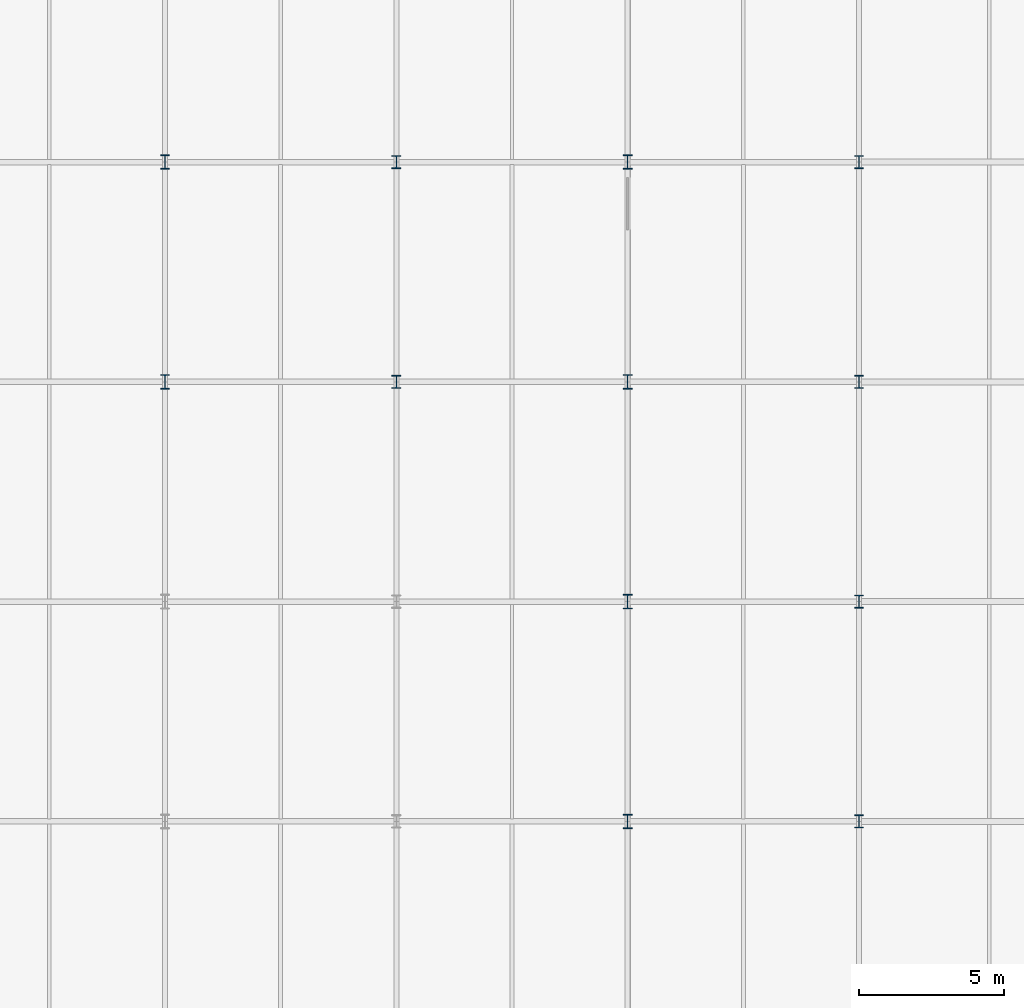
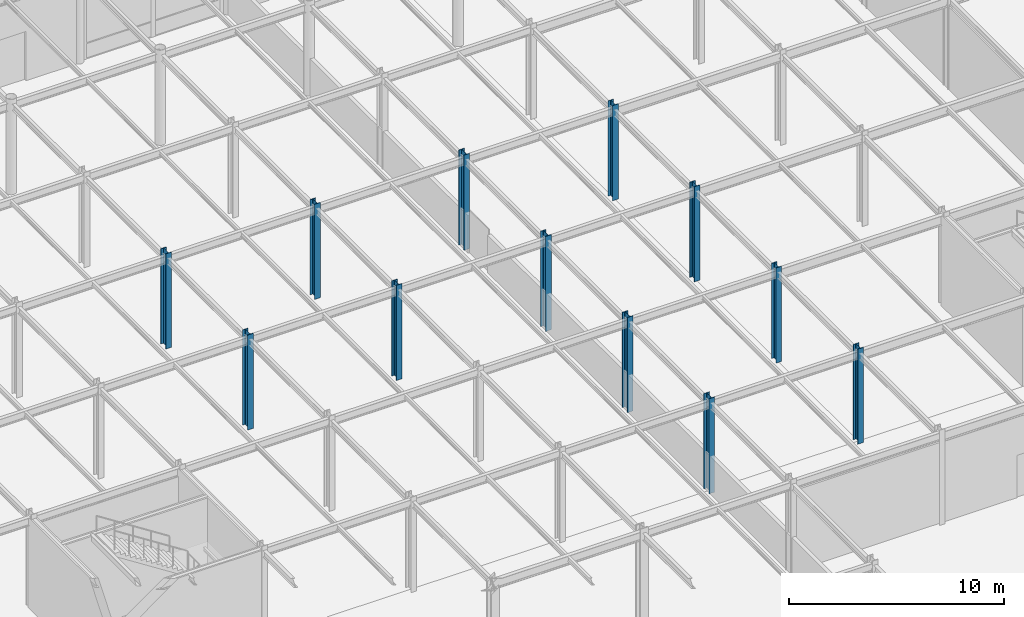
# One storey, part 14 of 89: 12 columns.
"""IFC4 building model written with IfcOpenShell, lengths in metres."""

import ifcopenshell
import ifcopenshell.guid

model = None  # the IFC model being written
_history = None  # IfcOwnerHistory: only IFC2X3 demands one
_inside = {}  # id of a spatial element -> (the spatial element, [elements in it])
_under = {}  # id of a project, library or spatial element -> (it, [spatial elements below it])
_declared = {}  # id of a project -> (the project, [libraries it declares])
_typed = {}  # id of a type object -> (the type object, [elements of that type])
_made_of = {}  # id of a material, layer set ... -> (it, [elements and type objects made of it])


def new_model(schema):
    """Start an empty IFC model of exactly this schema.

    Asked for "IFC4X3", IfcOpenShell would pick the latest addendum, in which some entities
    have other attributes; the version numbers below select the first issue.
    IFC2X3 requires an IfcOwnerHistory on every rooted entity: one is made here for all.
    """
    global model, _history
    if schema == "IFC4X3":
        model = ifcopenshell.file(schema_version=(4, 3, 0, 0))
    else:
        model = ifcopenshell.file(schema=schema)
    _inside.clear()
    _under.clear()
    _declared.clear()
    _typed.clear()
    _made_of.clear()
    _history = None
    if model.schema == "IFC2X3":
        org = make("IfcOrganization", Name="unknown")
        user = make(
            "IfcPersonAndOrganization",
            ThePerson=make("IfcPerson", FamilyName="unknown"),
            TheOrganization=org,
        )
        app = make(
            "IfcApplication",
            ApplicationDeveloper=org,
            Version="unknown",
            ApplicationFullName="unknown",
            ApplicationIdentifier="unknown",
        )
        _history = make(
            "IfcOwnerHistory",
            OwningUser=user,
            OwningApplication=app,
            ChangeAction="ADDED",
            CreationDate=0,
        )
    return model


def make(cls, **values):
    """One entity of the class cls with the attributes given. An attribute that is None is left unset."""
    return model.create_entity(
        cls, **{name: value for name, value in values.items() if value is not None}
    )


def rooted(cls, **values):
    """An entity with a GlobalId (a new one), such as an element, a storey or a relation."""
    return make(cls, GlobalId=ifcopenshell.guid.new(), OwnerHistory=_history, **values)


def si_unit(unit_type, name, prefix=None):
    """IfcSIUnit, for example si_unit("LENGTHUNIT", "METRE", prefix="MILLI")."""
    return make("IfcSIUnit", UnitType=unit_type, Prefix=prefix, Name=name)


def assignment(units):
    """IfcUnitAssignment: the units of a project."""
    return None if units is None else make("IfcUnitAssignment", Units=units)


def point(xyz):
    """IfcCartesianPoint."""
    return None if xyz is None else make("IfcCartesianPoint", Coordinates=xyz)


def direction(xyz):
    """IfcDirection."""
    return None if xyz is None else make("IfcDirection", DirectionRatios=xyz)


def frame(location, z_axis=None, x_axis=None):
    """IfcAxis2Placement3D, a coordinate frame: its origin and axes. An axis left out is left unset."""
    return make(
        "IfcAxis2Placement3D",
        Location=point(location),
        Axis=direction(z_axis),
        RefDirection=direction(x_axis),
    )


def frame_2d(location, x_axis=None):
    """IfcAxis2Placement2D, a coordinate frame in the plane: its origin and x axis."""
    return make(
        "IfcAxis2Placement2D", Location=point(location), RefDirection=direction(x_axis)
    )


def origin():
    """The frame at (0, 0, 0) with its axes left unset."""
    return frame((0.0, 0.0, 0.0))


def origin_2d():
    """The frame at (0, 0) in the plane with its x axis left unset."""
    return frame_2d((0.0, 0.0))


def place(relative_to, where):
    """IfcLocalPlacement: puts the frame where relative to a parent placement (None: the world)."""
    return make(
        "IfcLocalPlacement", PlacementRelTo=relative_to, RelativePlacement=where
    )


def context(
    kind, dimensions, precision=None, world=None, true_north=None, identifier=None
):
    """IfcGeometricRepresentationContext, for example the 3D "Model" context."""
    return make(
        "IfcGeometricRepresentationContext",
        ContextIdentifier=identifier,
        ContextType=kind,
        CoordinateSpaceDimension=dimensions,
        Precision=precision,
        WorldCoordinateSystem=world,
        TrueNorth=true_north,
    )


def subcontext(parent, identifier, kind, view, scale=None):
    """IfcGeometricRepresentationSubContext, for example "Body" below "Model"."""
    return make(
        "IfcGeometricRepresentationSubContext",
        ContextIdentifier=identifier,
        ContextType=kind,
        ParentContext=parent,
        TargetScale=scale,
        TargetView=view,
    )


def project(units=None, contexts=None):
    """IfcProject with its units and contexts."""
    return rooted(
        "IfcProject",
        Name="project",
        RepresentationContexts=contexts,
        UnitsInContext=assignment(units),
    )


def spatial(cls, under=None, at=None, **own):
    """A site, building, storey or space (cls), placed at a placement, below another one or the project."""
    s = rooted(cls, ObjectPlacement=at, **own)
    if under is not None:
        _under.setdefault(under.id(), (under, []))[1].append(s)
    return s


def profile(cls, at=None, kind="AREA", **sizes):
    """A parametric profile (cls). Its sizes go by their IFC names, for example OverallWidth=200.0."""
    return make(cls, ProfileType=kind, Position=at, **sizes)


def i_section(**sizes):
    """IfcIShapeProfileDef."""
    return profile("IfcIShapeProfileDef", **sizes)


def extrude(swept, where, along, depth):
    """IfcExtrudedAreaSolid: the profile swept, set in the frame where, extruded along a direction by depth."""
    return make(
        "IfcExtrudedAreaSolid",
        SweptArea=swept,
        Position=where,
        ExtrudedDirection=direction(along),
        Depth=depth,
    )


def shape(context_of_items, identifier, shape_type, items):
    """IfcShapeRepresentation: the items that make up one representation, for example the "Body"."""
    return make(
        "IfcShapeRepresentation",
        ContextOfItems=context_of_items,
        RepresentationIdentifier=identifier,
        RepresentationType=shape_type,
        Items=items,
    )


def material(Name=None, Category=None):
    """IfcMaterial."""
    return make("IfcMaterial", Name=Name, Category=Category)


def material_profile(
    of_material, cross_section, Name=None, Category=None, Priority=None
):
    """IfcMaterialProfile: a cross section and its material."""
    return make(
        "IfcMaterialProfile",
        Name=Name,
        Material=of_material,
        Profile=cross_section,
        Priority=Priority,
        Category=Category,
    )


def profile_set(profiles, Name=None, composite=None):
    """IfcMaterialProfileSet."""
    return make(
        "IfcMaterialProfileSet",
        Name=Name,
        MaterialProfiles=profiles,
        CompositeProfile=composite,
    )


def made_of(thing, what):
    """Note that an element or type object is made of a material, layer set ...; save() writes the relation."""
    if what is not None:
        _made_of.setdefault(what.id(), (what, []))[1].append(thing)
    return thing


def type_object(cls, material=None, **own):
    """A type object (cls), such as IfcWallType, which elements share."""
    return made_of(rooted(cls, **own), material)


def element(
    cls,
    number,
    at=None,
    inside=None,
    cuts=None,
    type_object=None,
    material=None,
    context=None,
    identifier="Body",
    shape_type=None,
    held_by="IfcProductDefinitionShape",
    body=None,
    shapes=None,
    **own,
):
    """One element of the class cls, such as IfcWall. Its Tag is "e" and its number.

    at: its placement. inside: the storey or other place that contains it. cuts: it is an
    opening in that element (IfcRelVoidsElement). A single representation is given by context,
    identifier, shape_type and body (its items); several are given by shapes. held_by: the class
    of the entity that holds the representations. save() writes the other relations.
    """
    e = rooted(cls, Tag="e%d" % number, ObjectPlacement=at, **own)
    if body is not None:
        shapes = [shape(context, identifier, shape_type, body)]
    if shapes is not None:
        e.Representation = make(held_by, Representations=shapes)
    if inside is not None:
        _inside.setdefault(inside.id(), (inside, []))[1].append(e)
    if cuts is not None:
        rooted(
            "IfcRelVoidsElement", RelatingBuildingElement=cuts, RelatedOpeningElement=e
        )
    if type_object is not None:
        _typed.setdefault(type_object.id(), (type_object, []))[1].append(e)
    return made_of(e, material)


def aggregate(whole, parts):
    """IfcRelAggregates: a whole, such as a stair, and the parts it consists of."""
    return rooted("IfcRelAggregates", RelatingObject=whole, RelatedObjects=parts)


def save(model, path):
    """Write the relations noted so far, then the file.

    IfcRelAggregates (storeys below a building ...), IfcRelContainedInSpatialStructure (elements
    in a storey), IfcRelDefinesByType, IfcRelAssociatesMaterial and IfcRelDeclares: one each for
    every whole, place, type object, material and project.
    """
    for whole, parts in _under.values():
        aggregate(whole, parts)
    for where, things in _inside.values():
        rooted(
            "IfcRelContainedInSpatialStructure",
            RelatedElements=things,
            RelatingStructure=where,
        )
    for kind, things in _typed.values():
        rooted("IfcRelDefinesByType", RelatedObjects=things, RelatingType=kind)
    for what, things in _made_of.values():
        rooted("IfcRelAssociatesMaterial", RelatedObjects=things, RelatingMaterial=what)
    for by, libraries in _declared.values():
        rooted("IfcRelDeclares", RelatingContext=by, RelatedDefinitions=libraries)
    model.write(path)


model = new_model("IFC4")

# Units and contexts
model_context = context("Model", 3, precision=1e-05, world=origin(), true_north=direction((0.0, 1.0)))
body_context = subcontext(model_context, "Body", "Model", "MODEL_VIEW")
ifc_project = project(units=[si_unit("LENGTHUNIT", "METRE"), si_unit("AREAUNIT", "SQUARE_METRE"), si_unit("VOLUMEUNIT", "CUBIC_METRE"), si_unit("PLANEANGLEUNIT", "RADIAN"), si_unit("MASSUNIT", "GRAM", prefix="KILO")], contexts=[model_context])

# Site, building, storey
site_placement = place(None, origin())
site = spatial("IfcSite", under=ifc_project, at=site_placement, CompositionType="ELEMENT")
building_placement = place(site_placement, origin())
building = spatial("IfcBuilding", under=site, at=building_placement, Name="Shalkamar Park Central Library", CompositionType="ELEMENT")
storey_placement = place(building_placement, origin())
storey = spatial("IfcBuildingStorey", under=building, at=storey_placement, Name="L01", CompositionType="ELEMENT", Elevation=0.0)

# Columns
ifc_material = material(Name="Steel S355", Category="steel")
ifc_material_profile_1 = material_profile(ifc_material, i_section(OverallWidth=0.300048828125, OverallDepth=0.449951171875, WebThickness=0.013916015625, FlangeThickness=0.02587890625, FilletRadius=0.027099609375, at=origin_2d()), Name="HEB 450")
ifc_profile_set_1 = profile_set([ifc_material_profile_1], Name="Steel S355")
column_type_1 = type_object("IfcColumnType", Name="Column Steel HEB450", PredefinedType="COLUMN", material=ifc_profile_set_1)
for number, where, z_axis, x_axis, name in (
    (1, (221.0, 316.0, 0.0), (0.0, 0.0, 1.0), (1.0, 0.0, 0.0), "Column 14/L (L01)"),
    (2, (221.0, 323.60009765625, 0.0), (0.0, 0.0, 1.0), (1.0, 0.0, 0.0), "Column 14/M (L01)"),
    (3, (237.0, 300.800048828125, 0.0), (0.0, 0.0, 1.0), (1.0, 0.0, 0.0), "Column 16/J (L01)"),
    (4, (237.0, 308.39990234375, 0.0), (0.0, 0.0, 1.0), (1.0, 0.0, 0.0), "Column 16/K (L01)"),
    (5, (237.0, 316.0, 0.0), (0.0, 0.0, 1.0), (1.0, 0.0, 0.0), "Column 16/L (L01)"),
    (6, (237.0, 323.60009765625, 0.0), (0.0, 0.0, 1.0), (1.0, 0.0, 0.0), "Column 16/M (L01)"),
):
    element("IfcColumn", number, at=place(storey_placement, frame(where, z_axis=z_axis, x_axis=x_axis)), inside=storey, type_object=column_type_1, Name=name, PredefinedType="COLUMN", context=body_context, shape_type="SweptSolid", body=[
        extrude(i_section(OverallWidth=0.300048828125, OverallDepth=0.449951171875, WebThickness=0.013916015625, FlangeThickness=0.02587890625, FilletRadius=0.027099609375, at=origin_2d()), origin(), (0.0, 0.0, 1.0), 5.39990234375),
    ])
ifc_material_profile_2 = material_profile(ifc_material, i_section(OverallWidth=0.300048828125, OverallDepth=0.5, WebThickness=0.014404296875, FlangeThickness=0.028076171875, FilletRadius=0.027099609375, at=origin_2d()), Name="HEB 500")
ifc_profile_set_2 = profile_set([ifc_material_profile_2], Name="Steel S355")
column_type_2 = type_object("IfcColumnType", Name="Column Steel HEB500", PredefinedType="COLUMN", material=ifc_profile_set_2)
for number, where, z_axis, x_axis, name in (
    (7, (213.0, 316.0, 0.0), (0.0, 0.0, 1.0), (1.0, 0.0, 0.0), "Column 13/L (L01)"),
    (8, (213.0, 323.60009765625, 0.0), (0.0, 0.0, 1.0), (1.0, 0.0, 0.0), "Column 13/M (L01)"),
    (9, (229.0, 300.800048828125, 0.0), (0.0, 0.0, 1.0), (1.0, 0.0, 0.0), "Column 15/J (L01)"),
    (10, (229.0, 308.39990234375, 0.0), (0.0, 0.0, 1.0), (1.0, 0.0, 0.0), "Column 15/K (L01)"),
    (11, (229.0, 316.0, 0.0), (0.0, 0.0, 1.0), (1.0, 0.0, 0.0), "Column 15/L (L01)"),
    (12, (229.0, 323.60009765625, 0.0), (0.0, 0.0, 1.0), (1.0, 0.0, 0.0), "Column 15/M (L01)"),
):
    element("IfcColumn", number, at=place(storey_placement, frame(where, z_axis=z_axis, x_axis=x_axis)), inside=storey, type_object=column_type_2, Name=name, PredefinedType="COLUMN", context=body_context, shape_type="SweptSolid", body=[
        extrude(i_section(OverallWidth=0.300048828125, OverallDepth=0.5, WebThickness=0.014404296875, FlangeThickness=0.028076171875, FilletRadius=0.027099609375, at=origin_2d()), origin(), (0.0, 0.0, 1.0), 5.39990234375),
    ])

save(model, "model.ifc")
